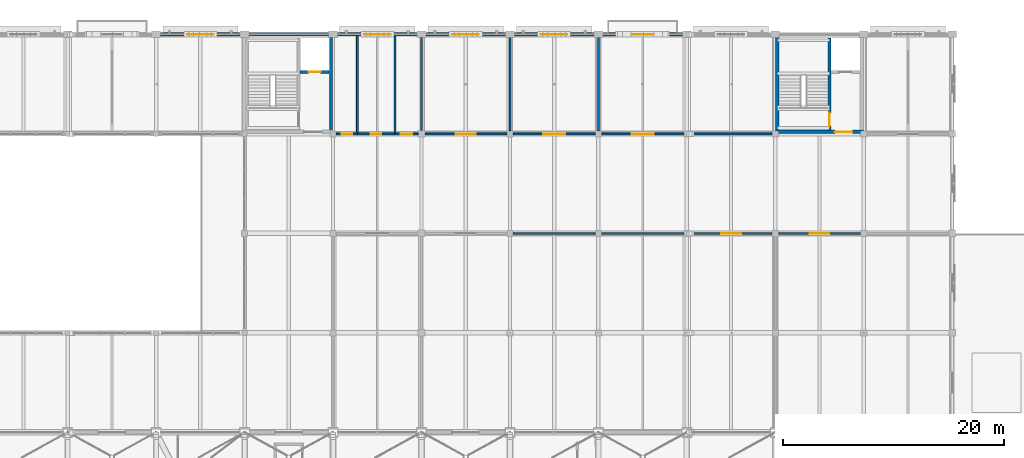
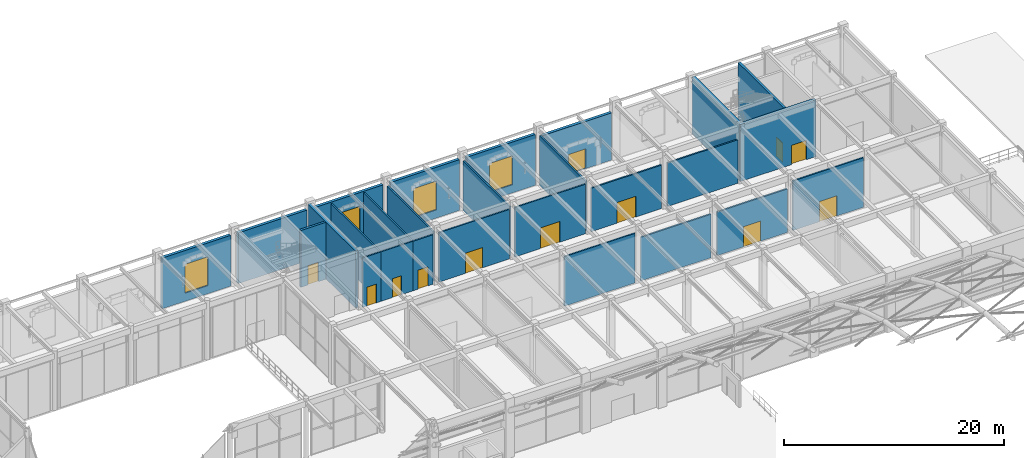
# One storey, part 132 of 163: 27 walls, 12 doors, 4 windows, 16 openings.
"""IFC4 building model written with IfcOpenShell, lengths in metres."""

import ifcopenshell
import ifcopenshell.guid

model = None  # the IFC model being written
_history = None  # IfcOwnerHistory: only IFC2X3 demands one
_inside = {}  # id of a spatial element -> (the spatial element, [elements in it])
_under = {}  # id of a project, library or spatial element -> (it, [spatial elements below it])
_declared = {}  # id of a project -> (the project, [libraries it declares])
_typed = {}  # id of a type object -> (the type object, [elements of that type])
_made_of = {}  # id of a material, layer set ... -> (it, [elements and type objects made of it])


def new_model(schema):
    """Start an empty IFC model of exactly this schema.

    Asked for "IFC4X3", IfcOpenShell would pick the latest addendum, in which some entities
    have other attributes; the version numbers below select the first issue.
    IFC2X3 requires an IfcOwnerHistory on every rooted entity: one is made here for all.
    """
    global model, _history
    if schema == "IFC4X3":
        model = ifcopenshell.file(schema_version=(4, 3, 0, 0))
    else:
        model = ifcopenshell.file(schema=schema)
    _inside.clear()
    _under.clear()
    _declared.clear()
    _typed.clear()
    _made_of.clear()
    _history = None
    if model.schema == "IFC2X3":
        org = make("IfcOrganization", Name="unknown")
        user = make(
            "IfcPersonAndOrganization",
            ThePerson=make("IfcPerson", FamilyName="unknown"),
            TheOrganization=org,
        )
        app = make(
            "IfcApplication",
            ApplicationDeveloper=org,
            Version="unknown",
            ApplicationFullName="unknown",
            ApplicationIdentifier="unknown",
        )
        _history = make(
            "IfcOwnerHistory",
            OwningUser=user,
            OwningApplication=app,
            ChangeAction="ADDED",
            CreationDate=0,
        )
    return model


def make(cls, **values):
    """One entity of the class cls with the attributes given. An attribute that is None is left unset."""
    return model.create_entity(
        cls, **{name: value for name, value in values.items() if value is not None}
    )


def rooted(cls, **values):
    """An entity with a GlobalId (a new one), such as an element, a storey or a relation."""
    return make(cls, GlobalId=ifcopenshell.guid.new(), OwnerHistory=_history, **values)


def si_unit(unit_type, name, prefix=None):
    """IfcSIUnit, for example si_unit("LENGTHUNIT", "METRE", prefix="MILLI")."""
    return make("IfcSIUnit", UnitType=unit_type, Prefix=prefix, Name=name)


def assignment(units):
    """IfcUnitAssignment: the units of a project."""
    return None if units is None else make("IfcUnitAssignment", Units=units)


def point(xyz):
    """IfcCartesianPoint."""
    return None if xyz is None else make("IfcCartesianPoint", Coordinates=xyz)


def direction(xyz):
    """IfcDirection."""
    return None if xyz is None else make("IfcDirection", DirectionRatios=xyz)


def frame(location, z_axis=None, x_axis=None):
    """IfcAxis2Placement3D, a coordinate frame: its origin and axes. An axis left out is left unset."""
    return make(
        "IfcAxis2Placement3D",
        Location=point(location),
        Axis=direction(z_axis),
        RefDirection=direction(x_axis),
    )


def frame_2d(location, x_axis=None):
    """IfcAxis2Placement2D, a coordinate frame in the plane: its origin and x axis."""
    return make(
        "IfcAxis2Placement2D", Location=point(location), RefDirection=direction(x_axis)
    )


def origin():
    """The frame at (0, 0, 0) with its axes left unset."""
    return frame((0.0, 0.0, 0.0))


def place(relative_to, where):
    """IfcLocalPlacement: puts the frame where relative to a parent placement (None: the world)."""
    return make(
        "IfcLocalPlacement", PlacementRelTo=relative_to, RelativePlacement=where
    )


def context(
    kind, dimensions, precision=None, world=None, true_north=None, identifier=None
):
    """IfcGeometricRepresentationContext, for example the 3D "Model" context."""
    return make(
        "IfcGeometricRepresentationContext",
        ContextIdentifier=identifier,
        ContextType=kind,
        CoordinateSpaceDimension=dimensions,
        Precision=precision,
        WorldCoordinateSystem=world,
        TrueNorth=true_north,
    )


def subcontext(parent, identifier, kind, view, scale=None):
    """IfcGeometricRepresentationSubContext, for example "Body" below "Model"."""
    return make(
        "IfcGeometricRepresentationSubContext",
        ContextIdentifier=identifier,
        ContextType=kind,
        ParentContext=parent,
        TargetScale=scale,
        TargetView=view,
    )


def project(units=None, contexts=None):
    """IfcProject with its units and contexts."""
    return rooted(
        "IfcProject",
        Name="project",
        RepresentationContexts=contexts,
        UnitsInContext=assignment(units),
    )


def spatial(cls, under=None, at=None, **own):
    """A site, building, storey or space (cls), placed at a placement, below another one or the project."""
    s = rooted(cls, ObjectPlacement=at, **own)
    if under is not None:
        _under.setdefault(under.id(), (under, []))[1].append(s)
    return s


def profile(cls, at=None, kind="AREA", **sizes):
    """A parametric profile (cls). Its sizes go by their IFC names, for example OverallWidth=200.0."""
    return make(cls, ProfileType=kind, Position=at, **sizes)


def rectangle(**sizes):
    """IfcRectangleProfileDef."""
    return profile("IfcRectangleProfileDef", **sizes)


def extrude(swept, where, along, depth):
    """IfcExtrudedAreaSolid: the profile swept, set in the frame where, extruded along a direction by depth."""
    return make(
        "IfcExtrudedAreaSolid",
        SweptArea=swept,
        Position=where,
        ExtrudedDirection=direction(along),
        Depth=depth,
    )


def shape(context_of_items, identifier, shape_type, items):
    """IfcShapeRepresentation: the items that make up one representation, for example the "Body"."""
    return make(
        "IfcShapeRepresentation",
        ContextOfItems=context_of_items,
        RepresentationIdentifier=identifier,
        RepresentationType=shape_type,
        Items=items,
    )


def material(Name=None, Category=None):
    """IfcMaterial."""
    return make("IfcMaterial", Name=Name, Category=Category)


def layer(
    of_material, thickness, ventilated=None, Name=None, Category=None, Priority=None
):
    """IfcMaterialLayer: one layer of a wall or slab, of a material (None: an air gap)."""
    return make(
        "IfcMaterialLayer",
        Material=of_material,
        LayerThickness=thickness,
        IsVentilated=ventilated,
        Name=Name,
        Category=Category,
        Priority=Priority,
    )


def layer_set(layers, Name=None):
    """IfcMaterialLayerSet."""
    return make("IfcMaterialLayerSet", MaterialLayers=layers, LayerSetName=Name)


def made_of(thing, what):
    """Note that an element or type object is made of a material, layer set ...; save() writes the relation."""
    if what is not None:
        _made_of.setdefault(what.id(), (what, []))[1].append(thing)
    return thing


def type_object(cls, material=None, **own):
    """A type object (cls), such as IfcWallType, which elements share."""
    return made_of(rooted(cls, **own), material)


def element(
    cls,
    number,
    at=None,
    inside=None,
    cuts=None,
    type_object=None,
    material=None,
    context=None,
    identifier="Body",
    shape_type=None,
    held_by="IfcProductDefinitionShape",
    body=None,
    shapes=None,
    **own,
):
    """One element of the class cls, such as IfcWall. Its Tag is "e" and its number.

    at: its placement. inside: the storey or other place that contains it. cuts: it is an
    opening in that element (IfcRelVoidsElement). A single representation is given by context,
    identifier, shape_type and body (its items); several are given by shapes. held_by: the class
    of the entity that holds the representations. save() writes the other relations.
    """
    e = rooted(cls, Tag="e%d" % number, ObjectPlacement=at, **own)
    if body is not None:
        shapes = [shape(context, identifier, shape_type, body)]
    if shapes is not None:
        e.Representation = make(held_by, Representations=shapes)
    if inside is not None:
        _inside.setdefault(inside.id(), (inside, []))[1].append(e)
    if cuts is not None:
        rooted(
            "IfcRelVoidsElement", RelatingBuildingElement=cuts, RelatedOpeningElement=e
        )
    if type_object is not None:
        _typed.setdefault(type_object.id(), (type_object, []))[1].append(e)
    return made_of(e, material)


def fill(opening, filler):
    """IfcRelFillsElement: the door or window that sits in an opening."""
    return rooted(
        "IfcRelFillsElement",
        RelatingOpeningElement=opening,
        RelatedBuildingElement=filler,
    )


def aggregate(whole, parts):
    """IfcRelAggregates: a whole, such as a stair, and the parts it consists of."""
    return rooted("IfcRelAggregates", RelatingObject=whole, RelatedObjects=parts)


def save(model, path):
    """Write the relations noted so far, then the file.

    IfcRelAggregates (storeys below a building ...), IfcRelContainedInSpatialStructure (elements
    in a storey), IfcRelDefinesByType, IfcRelAssociatesMaterial and IfcRelDeclares: one each for
    every whole, place, type object, material and project.
    """
    for whole, parts in _under.values():
        aggregate(whole, parts)
    for where, things in _inside.values():
        rooted(
            "IfcRelContainedInSpatialStructure",
            RelatedElements=things,
            RelatingStructure=where,
        )
    for kind, things in _typed.values():
        rooted("IfcRelDefinesByType", RelatedObjects=things, RelatingType=kind)
    for what, things in _made_of.values():
        rooted("IfcRelAssociatesMaterial", RelatedObjects=things, RelatingMaterial=what)
    for by, libraries in _declared.values():
        rooted("IfcRelDeclares", RelatingContext=by, RelatedDefinitions=libraries)
    model.write(path)


model = new_model("IFC4")

# Units and contexts
model_context = context("Model", 3, precision=1e-05, world=origin(), true_north=direction((0.0, 1.0)))
body_context = subcontext(model_context, "Body", "Model", "MODEL_VIEW")
ifc_project = project(units=[si_unit("LENGTHUNIT", "METRE"), si_unit("AREAUNIT", "SQUARE_METRE"), si_unit("VOLUMEUNIT", "CUBIC_METRE"), si_unit("PLANEANGLEUNIT", "RADIAN"), si_unit("MASSUNIT", "GRAM", prefix="KILO")], contexts=[model_context])

# Site, building, storey
site_placement = place(None, origin())
site = spatial("IfcSite", under=ifc_project, at=site_placement, CompositionType="ELEMENT")
building_placement = place(site_placement, origin())
building = spatial("IfcBuilding", under=site, at=building_placement, Name="Varnabhumi Central Station", CompositionType="ELEMENT")
storey_placement = place(building_placement, frame((0.0, 0.0, 9.60009765625)))
storey = spatial("IfcBuildingStorey", under=building, at=storey_placement, Name="L02", CompositionType="ELEMENT", Elevation=9.60009765625)

# Walls
ifc_material_1 = material(Name="Concrete M40", Category="concrete")
ifc_layer_1 = layer(ifc_material_1, 0.300048828125, Name="Concrete M40", Category="concrete")
ifc_layer_set_1 = layer_set([ifc_layer_1], Name="Concrete M40")
wall_type_1 = type_object("IfcWallType", Name="WAL-CORE-RC-300", PredefinedType="SHEAR", material=ifc_layer_set_1)
for number, where, z_axis, x_axis, name in (
    (1, (87.820068359375, 107.179931640625, 0.0), (0.0, 0.0, 1.0), (0.0, 1.0, 0.0), "NC2 L02 East Shear Wall"),
    (2, (128.179931640625, 107.179931640625, 0.0), (0.0, 0.0, 1.0), (0.0, 1.0, 0.0), "NC3 L02 West Shear Wall"),
):
    element("IfcWall", number, at=place(storey_placement, frame(where, z_axis=z_axis, x_axis=x_axis)), inside=storey, type_object=wall_type_1, Name=name, PredefinedType="SHEAR", context=body_context, shape_type="SweptSolid", body=[
        extrude(rectangle(XDim=8.64013671875, YDim=0.300048828125, at=frame_2d((4.320068359375, 0.0))), origin(), (0.0, 0.0, 1.0), 6.31982421875),
    ])

# Wall, opening, door
wall_1_placement = place(storey_placement, frame((128.030029296875, 107.179931640625, 0.0), z_axis=(0.0, 0.0, 1.0), x_axis=(1.0, 0.0, 0.0)))
wall_1 = element("IfcWall", 3, at=wall_1_placement, inside=storey, type_object=wall_type_1, Name="NC3 L02 Corridor Shear Wall", PredefinedType="SHEAR", context=body_context, shape_type="SweptSolid", body=[
    extrude(rectangle(XDim=7.93994140625, YDim=0.300048828125, at=frame_2d((3.969970703125, 0.0))), origin(), (0.0, 0.0, 1.0), 6.31982421875),
])
opening_1_placement = place(wall_1_placement, frame((5.35009765625, 0.0, 0.0)))
opening_1 = element("IfcOpeningElement", 4, at=opening_1_placement, cuts=wall_1, Name="Opening FD-60D", PredefinedType="OPENING", context=body_context, shape_type="SweptSolid", body=[
    extrude(rectangle(XDim=1.60009765625, YDim=2.14990234375, at=frame_2d((0.800048828125, 1.074951171875))), frame((0.0, 0.159912109375, 0.0), z_axis=(0.0, -1.0, 0.0), x_axis=(1.0, 0.0, 0.0)), (0.0, 0.0, 1.0), 0.320068359375),
])
ifc_material_2 = material(Name="Intumescent-treated hardwood timber", Category="wood")
door_type_1 = type_object("IfcDoorType", Name="DR-FIRE-60-1600", OperationType="NOTDEFINED", PredefinedType="DOOR", material=ifc_material_2)
door_1_placement = place(opening_1_placement, frame((1.60009765625, 0.0, 0.0), z_axis=(0.0, 0.0, 1.0), x_axis=(-1.0, 0.0, 0.0)))
door_1 = element("IfcDoor", 5, at=door_1_placement, inside=storey, type_object=door_type_1, Name="NC3 L02 Lobby Fire Door", OperationType="DOUBLE_DOOR_SINGLE_SWING", OverallHeight=2.14990234375, OverallWidth=1.60009765625, PredefinedType="DOOR", context=body_context, shape_type="SweptSolid", body=[
    extrude(rectangle(XDim=1.60009765625, YDim=2.14990234375, at=frame_2d((0.800048828125, 1.074951171875))), frame((0.0, 0.02490234375, 0.0), z_axis=(0.0, -1.0, 0.0), x_axis=(1.0, 0.0, 0.0)), (0.0, 0.0, 1.0), 0.050048828125),
])
fill(opening_1, door_1)

# Wall, opening, window
ifc_material_3 = material(Name="Autoclaved aerated blockwork masonry", Category="masonry")
ifc_layer_2 = layer(ifc_material_3, 0.300048828125, Name="Autoclaved aerated blockwork masonry", Category="masonry")
ifc_layer_set_2 = layer_set([ifc_layer_2], Name="Autoclaved aerated blockwork masonry")
wall_type_2 = type_object("IfcWallType", Name="WAL-EXT-STUCCO-300", PredefinedType="SOLIDWALL", material=ifc_layer_set_2)
wall_2_placement = place(storey_placement, frame((72.39990234375, 116.0, 0.0), z_axis=(0.0, 0.0, 1.0), x_axis=(1.0, 0.0, 0.0)))
wall_2 = element("IfcWall", 6, at=wall_2_placement, inside=storey, type_object=wall_type_2, Name="North Boulevard Wall L02-7", PredefinedType="SOLIDWALL", context=body_context, shape_type="SweptSolid", body=[
    extrude(rectangle(XDim=7.2001953125, YDim=0.300048828125, at=frame_2d((3.60009765625, 0.0))), origin(), (0.0, 0.0, 1.0), 5.639892578125),
])
opening_2_placement = place(wall_2_placement, frame((2.39990234375, 0.0, 0.89990234375)))
opening_2 = element("IfcOpeningElement", 7, at=opening_2_placement, cuts=wall_2, Name="Opening W-05", PredefinedType="OPENING", context=body_context, shape_type="SweptSolid", body=[
    extrude(rectangle(XDim=2.39990234375, YDim=3.199951171875, at=frame_2d((1.199951171875, 1.60009765625))), frame((0.0, 0.159912109375, 0.0), z_axis=(0.0, -1.0, 0.0), x_axis=(1.0, 0.0, 0.0)), (0.0, 0.0, 1.0), 0.320068359375),
])
ifc_material_4 = material(Name="Laminated low-E double glazing", Category="glass")
window_type = type_object("IfcWindowType", Name="WIN-TALL-2400x3200", PartitioningType="TRIPLE_PANEL_HORIZONTAL", PredefinedType="WINDOW", material=ifc_material_4)
window_1_placement = place(opening_2_placement, origin())
window_1 = element("IfcWindow", 8, at=window_1_placement, inside=storey, type_object=window_type, Name="North Facade Window L02-7", OverallHeight=3.199951171875, OverallWidth=2.39990234375, PartitioningType="SINGLE_PANEL", PredefinedType="WINDOW", context=body_context, shape_type="SweptSolid", body=[
    extrude(rectangle(XDim=2.39990234375, YDim=3.199951171875, at=frame_2d((1.199951171875, 1.60009765625))), frame((0.0, 0.030029296875, 0.0), z_axis=(0.0, -1.0, 0.0), x_axis=(1.0, 0.0, 0.0)), (0.0, 0.0, 1.0), 0.06005859375),
])
fill(opening_2, window_1)

# Wall
wall_3_placement = place(storey_placement, frame((80.39990234375, 116.0, 0.0), z_axis=(0.0, 0.0, 1.0), x_axis=(1.0, 0.0, 0.0)))
element("IfcWall", 9, at=wall_3_placement, inside=storey, type_object=wall_type_2, Name="North Boulevard Wall L02-8", PredefinedType="SOLIDWALL", context=body_context, shape_type="SweptSolid", body=[
    extrude(rectangle(XDim=7.2001953125, YDim=0.300048828125, at=frame_2d((3.60009765625, 0.0))), origin(), (0.0, 0.0, 1.0), 5.639892578125),
])

# Wall, opening, window
wall_4_placement = place(storey_placement, frame((88.39990234375, 116.0, 0.0), z_axis=(0.0, 0.0, 1.0), x_axis=(1.0, 0.0, 0.0)))
wall_4 = element("IfcWall", 10, at=wall_4_placement, inside=storey, type_object=wall_type_2, Name="North Boulevard Wall L02-9", PredefinedType="SOLIDWALL", context=body_context, shape_type="SweptSolid", body=[
    extrude(rectangle(XDim=7.2001953125, YDim=0.300048828125, at=frame_2d((3.60009765625, 0.0))), origin(), (0.0, 0.0, 1.0), 5.639892578125),
])
opening_3_placement = place(wall_4_placement, frame((2.39990234375, 0.0, 0.89990234375)))
opening_3 = element("IfcOpeningElement", 11, at=opening_3_placement, cuts=wall_4, Name="Opening W-05", PredefinedType="OPENING", context=body_context, shape_type="SweptSolid", body=[
    extrude(rectangle(XDim=2.39990234375, YDim=3.199951171875, at=frame_2d((1.199951171875, 1.60009765625))), frame((0.0, 0.159912109375, 0.0), z_axis=(0.0, -1.0, 0.0), x_axis=(1.0, 0.0, 0.0)), (0.0, 0.0, 1.0), 0.320068359375),
])
window_2_placement = place(opening_3_placement, origin())
window_2 = element("IfcWindow", 12, at=window_2_placement, inside=storey, type_object=window_type, Name="North Facade Window L02-9", OverallHeight=3.199951171875, OverallWidth=2.39990234375, PartitioningType="SINGLE_PANEL", PredefinedType="WINDOW", context=body_context, shape_type="SweptSolid", body=[
    extrude(rectangle(XDim=2.39990234375, YDim=3.199951171875, at=frame_2d((1.199951171875, 1.60009765625))), frame((0.0, 0.030029296875, 0.0), z_axis=(0.0, -1.0, 0.0), x_axis=(1.0, 0.0, 0.0)), (0.0, 0.0, 1.0), 0.06005859375),
])
fill(opening_3, window_2)

wall_5_placement = place(storey_placement, frame((96.39990234375, 116.0, 0.0), z_axis=(0.0, 0.0, 1.0), x_axis=(1.0, 0.0, 0.0)))
wall_5 = element("IfcWall", 13, at=wall_5_placement, inside=storey, type_object=wall_type_2, Name="North Boulevard Wall L02-10", PredefinedType="SOLIDWALL", context=body_context, shape_type="SweptSolid", body=[
    extrude(rectangle(XDim=7.2001953125, YDim=0.300048828125, at=frame_2d((3.60009765625, 0.0))), origin(), (0.0, 0.0, 1.0), 5.639892578125),
])
opening_4_placement = place(wall_5_placement, frame((2.39990234375, 0.0, 0.89990234375)))
opening_4 = element("IfcOpeningElement", 14, at=opening_4_placement, cuts=wall_5, Name="Opening W-05", PredefinedType="OPENING", context=body_context, shape_type="SweptSolid", body=[
    extrude(rectangle(XDim=2.39990234375, YDim=3.199951171875, at=frame_2d((1.199951171875, 1.60009765625))), frame((0.0, 0.159912109375, 0.0), z_axis=(0.0, -1.0, 0.0), x_axis=(1.0, 0.0, 0.0)), (0.0, 0.0, 1.0), 0.320068359375),
])
window_3_placement = place(opening_4_placement, origin())
window_3 = element("IfcWindow", 15, at=window_3_placement, inside=storey, type_object=window_type, Name="North Facade Window L02-10", OverallHeight=3.199951171875, OverallWidth=2.39990234375, PartitioningType="SINGLE_PANEL", PredefinedType="WINDOW", context=body_context, shape_type="SweptSolid", body=[
    extrude(rectangle(XDim=2.39990234375, YDim=3.199951171875, at=frame_2d((1.199951171875, 1.60009765625))), frame((0.0, 0.030029296875, 0.0), z_axis=(0.0, -1.0, 0.0), x_axis=(1.0, 0.0, 0.0)), (0.0, 0.0, 1.0), 0.06005859375),
])
fill(opening_4, window_3)

wall_6_placement = place(storey_placement, frame((104.39990234375, 116.0, 0.0), z_axis=(0.0, 0.0, 1.0), x_axis=(1.0, 0.0, 0.0)))
wall_6 = element("IfcWall", 16, at=wall_6_placement, inside=storey, type_object=wall_type_2, Name="North Boulevard Wall L02-11", PredefinedType="SOLIDWALL", context=body_context, shape_type="SweptSolid", body=[
    extrude(rectangle(XDim=7.2001953125, YDim=0.300048828125, at=frame_2d((3.60009765625, 0.0))), origin(), (0.0, 0.0, 1.0), 5.639892578125),
])
opening_5_placement = place(wall_6_placement, frame((2.39990234375, 0.0, 0.89990234375)))
opening_5 = element("IfcOpeningElement", 17, at=opening_5_placement, cuts=wall_6, Name="Opening W-05", PredefinedType="OPENING", context=body_context, shape_type="SweptSolid", body=[
    extrude(rectangle(XDim=2.39990234375, YDim=3.199951171875, at=frame_2d((1.199951171875, 1.60009765625))), frame((0.0, 0.159912109375, 0.0), z_axis=(0.0, -1.0, 0.0), x_axis=(1.0, 0.0, 0.0)), (0.0, 0.0, 1.0), 0.320068359375),
])
window_4_placement = place(opening_5_placement, origin())
window_4 = element("IfcWindow", 18, at=window_4_placement, inside=storey, type_object=window_type, Name="North Facade Window L02-11", OverallHeight=3.199951171875, OverallWidth=2.39990234375, PartitioningType="SINGLE_PANEL", PredefinedType="WINDOW", context=body_context, shape_type="SweptSolid", body=[
    extrude(rectangle(XDim=2.39990234375, YDim=3.199951171875, at=frame_2d((1.199951171875, 1.60009765625))), frame((0.0, 0.030029296875, 0.0), z_axis=(0.0, -1.0, 0.0), x_axis=(1.0, 0.0, 0.0)), (0.0, 0.0, 1.0), 0.06005859375),
])
fill(opening_5, window_4)

# Wall, opening, door
wall_7_placement = place(storey_placement, frame((112.39990234375, 116.0, 0.0), z_axis=(0.0, 0.0, 1.0), x_axis=(1.0, 0.0, 0.0)))
wall_7 = element("IfcWall", 19, at=wall_7_placement, inside=storey, type_object=wall_type_2, Name="North Boulevard Wall L02-12", PredefinedType="SOLIDWALL", context=body_context, shape_type="SweptSolid", body=[
    extrude(rectangle(XDim=7.2001953125, YDim=0.300048828125, at=frame_2d((3.60009765625, 0.0))), origin(), (0.0, 0.0, 1.0), 5.239990234375),
])
opening_6_placement = place(wall_7_placement, frame((2.699951171875, 0.0, 0.0)))
opening_6 = element("IfcOpeningElement", 20, at=opening_6_placement, cuts=wall_7, Name="Opening ED-4", PredefinedType="OPENING", context=body_context, shape_type="SweptSolid", body=[
    extrude(rectangle(XDim=1.800048828125, YDim=2.199951171875, at=frame_2d((0.89990234375, 1.10009765625))), frame((0.0, 0.159912109375, 0.0), z_axis=(0.0, -1.0, 0.0), x_axis=(1.0, 0.0, 0.0)), (0.0, 0.0, 1.0), 0.320068359375),
])
ifc_material_5 = material(Name="Anodised aluminium 6063-T6", Category="aluminium")
door_type_2 = type_object("IfcDoorType", Name="DR-EXT-AZOTEA-1800", OperationType="NOTDEFINED", PredefinedType="DOOR", material=ifc_material_5)
door_2_placement = place(opening_6_placement, origin())
door_2 = element("IfcDoor", 21, at=door_2_placement, inside=storey, type_object=door_type_2, Name="North Boulevard Balcony French Door L02-12", OperationType="DOUBLE_DOOR_SINGLE_SWING", OverallHeight=2.199951171875, OverallWidth=1.800048828125, PredefinedType="DOOR", context=body_context, shape_type="SweptSolid", body=[
    extrude(rectangle(XDim=1.800048828125, YDim=2.199951171875, at=frame_2d((0.89990234375, 1.10009765625))), frame((0.0, 0.02490234375, 0.0), z_axis=(0.0, -1.0, 0.0), x_axis=(1.0, 0.0, 0.0)), (0.0, 0.0, 1.0), 0.050048828125),
])
fill(opening_6, door_2)

ifc_layer_3 = layer(ifc_material_3, 0.159912109375, Name="Autoclaved aerated blockwork masonry", Category="masonry")
ifc_layer_set_3 = layer_set([ifc_layer_3], Name="Autoclaved aerated blockwork masonry")
wall_type_3 = type_object("IfcWallType", Name="WAL-PART-AAC-160", PredefinedType="PARTITIONING", material=ifc_layer_set_3)
wall_8_placement = place(storey_placement, frame((88.300048828125, 107.0, 0.0), z_axis=(0.0, 0.0, 1.0), x_axis=(1.0, 0.0, 0.0)))
wall_8 = element("IfcWall", 22, at=wall_8_placement, inside=storey, type_object=wall_type_3, Name="Public Male WC L02 North Corridor Partition 1", PredefinedType="PARTITIONING", context=body_context, shape_type="SweptSolid", body=[
    extrude(rectangle(XDim=1.89990234375, YDim=0.159912109375, at=frame_2d((0.949951171875, 0.0))), origin(), (0.0, 0.0, 1.0), 5.5),
])
opening_7_placement = place(wall_8_placement, frame((0.47509765625, 0.0, 0.0)))
opening_7 = element("IfcOpeningElement", 23, at=opening_7_placement, cuts=wall_8, Name="Opening D-04", PredefinedType="OPENING", context=body_context, shape_type="SweptSolid", body=[
    extrude(rectangle(XDim=0.949951171875, YDim=2.10009765625, at=frame_2d((0.47509765625, 1.050048828125))), frame((0.0, 0.08984375, 0.0), z_axis=(0.0, -1.0, 0.0), x_axis=(1.0, 0.0, 0.0)), (0.0, 0.0, 1.0), 0.179931640625),
])
door_type_3 = type_object("IfcDoorType", Name="DR-WC-950", OperationType="NOTDEFINED", PredefinedType="DOOR", material=ifc_material_2)
door_3_placement = place(opening_7_placement, frame((0.949951171875, 0.0, 0.0), z_axis=(0.0, 0.0, 1.0), x_axis=(-1.0, 0.0, 0.0)))
door_3 = element("IfcDoor", 24, at=door_3_placement, inside=storey, type_object=door_type_3, Name="Public Male WC L02 North Door 1", OperationType="SINGLE_SWING_LEFT", OverallHeight=2.10009765625, OverallWidth=0.949951171875, PredefinedType="DOOR", context=body_context, shape_type="SweptSolid", body=[
    extrude(rectangle(XDim=0.949951171875, YDim=2.10009765625, at=frame_2d((0.47509765625, 1.050048828125))), frame((0.0, 0.02490234375, 0.0), z_axis=(0.0, -1.0, 0.0), x_axis=(1.0, 0.0, 0.0)), (0.0, 0.0, 1.0), 0.050048828125),
])
fill(opening_7, door_3)

# Wall
wall_9_placement = place(storey_placement, frame((90.199951171875, 107.080078125, 0.0), z_axis=(0.0, 0.0, 1.0), x_axis=(0.0, 1.0, 0.0)))
element("IfcWall", 25, at=wall_9_placement, inside=storey, type_object=wall_type_3, Name="Public Male WC L02 North W Partition 1", PredefinedType="PARTITIONING", context=body_context, shape_type="SweptSolid", body=[
    extrude(rectangle(XDim=8.760009765625, YDim=0.159912109375, at=frame_2d((4.3798828125, 0.0))), origin(), (0.0, 0.0, 1.0), 5.5),
])

# Wall, opening, door
wall_10_placement = place(storey_placement, frame((90.199951171875, 107.0, 0.0), z_axis=(0.0, 0.0, 1.0), x_axis=(1.0, 0.0, 0.0)))
wall_10 = element("IfcWall", 26, at=wall_10_placement, inside=storey, type_object=wall_type_3, Name="Public Female WC L02 North Corridor Partition 1", PredefinedType="PARTITIONING", context=body_context, shape_type="SweptSolid", body=[
    extrude(rectangle(XDim=3.400146484375, YDim=0.159912109375, at=frame_2d((1.7001953125, 0.0))), origin(), (0.0, 0.0, 1.0), 5.5),
])
opening_8_placement = place(wall_10_placement, frame((1.22509765625, 0.0, 0.0)))
opening_8 = element("IfcOpeningElement", 27, at=opening_8_placement, cuts=wall_10, Name="Opening D-04", PredefinedType="OPENING", context=body_context, shape_type="SweptSolid", body=[
    extrude(rectangle(XDim=0.949951171875, YDim=2.10009765625, at=frame_2d((0.47509765625, 1.050048828125))), frame((0.0, 0.08984375, 0.0), z_axis=(0.0, -1.0, 0.0), x_axis=(1.0, 0.0, 0.0)), (0.0, 0.0, 1.0), 0.179931640625),
])
door_4_placement = place(opening_8_placement, frame((0.949951171875, 0.0, 0.0), z_axis=(0.0, 0.0, 1.0), x_axis=(-1.0, 0.0, 0.0)))
door_4 = element("IfcDoor", 28, at=door_4_placement, inside=storey, type_object=door_type_3, Name="Public Female WC L02 North Door 1", OperationType="SINGLE_SWING_RIGHT", OverallHeight=2.10009765625, OverallWidth=0.949951171875, PredefinedType="DOOR", context=body_context, shape_type="SweptSolid", body=[
    extrude(rectangle(XDim=0.949951171875, YDim=2.10009765625, at=frame_2d((0.47509765625, 1.050048828125))), frame((0.0, 0.02490234375, 0.0), z_axis=(0.0, -1.0, 0.0), x_axis=(1.0, 0.0, 0.0)), (0.0, 0.0, 1.0), 0.050048828125),
])
fill(opening_8, door_4)

# Wall
wall_11_placement = place(storey_placement, frame((93.60009765625, 107.080078125, 0.0), z_axis=(0.0, 0.0, 1.0), x_axis=(0.0, 1.0, 0.0)))
element("IfcWall", 29, at=wall_11_placement, inside=storey, type_object=wall_type_3, Name="Public Female WC L02 North W Partition 1", PredefinedType="PARTITIONING", context=body_context, shape_type="SweptSolid", body=[
    extrude(rectangle(XDim=8.760009765625, YDim=0.159912109375, at=frame_2d((4.3798828125, 0.0))), origin(), (0.0, 0.0, 1.0), 5.5),
])

# Wall, opening, door
wall_12_placement = place(storey_placement, frame((93.60009765625, 107.0, 0.0), z_axis=(0.0, 0.0, 1.0), x_axis=(1.0, 0.0, 0.0)))
wall_12 = element("IfcWall", 30, at=wall_12_placement, inside=storey, type_object=wall_type_3, Name="Accessible WC L02 North Corridor Partition 1", PredefinedType="PARTITIONING", context=body_context, shape_type="SweptSolid", body=[
    extrude(rectangle(XDim=2.099853515625, YDim=0.159912109375, at=frame_2d((1.0498046875, 0.0))), origin(), (0.0, 0.0, 1.0), 5.5),
])
opening_9_placement = place(wall_12_placement, frame((0.52490234375, 0.0, 0.0)))
opening_9 = element("IfcOpeningElement", 31, at=opening_9_placement, cuts=wall_12, Name="Opening D-05", PredefinedType="OPENING", context=body_context, shape_type="SweptSolid", body=[
    extrude(rectangle(XDim=1.050048828125, YDim=2.10009765625, at=frame_2d((0.52490234375, 1.050048828125))), frame((0.0, 0.08984375, 0.0), z_axis=(0.0, -1.0, 0.0), x_axis=(1.0, 0.0, 0.0)), (0.0, 0.0, 1.0), 0.179931640625),
])
door_type_4 = type_object("IfcDoorType", Name="DR-ACC-WC-1050", OperationType="NOTDEFINED", PredefinedType="DOOR", material=ifc_material_2)
door_5_placement = place(opening_9_placement, frame((1.050048828125, 0.0, 0.0), z_axis=(0.0, 0.0, 1.0), x_axis=(-1.0, 0.0, 0.0)))
door_5 = element("IfcDoor", 32, at=door_5_placement, inside=storey, type_object=door_type_4, Name="Accessible WC L02 North Door 1", OperationType="SINGLE_SWING_LEFT", OverallHeight=2.10009765625, OverallWidth=1.050048828125, PredefinedType="DOOR", context=body_context, shape_type="SweptSolid", body=[
    extrude(rectangle(XDim=1.050048828125, YDim=2.10009765625, at=frame_2d((0.52490234375, 1.050048828125))), frame((0.0, 0.02490234375, 0.0), z_axis=(0.0, -1.0, 0.0), x_axis=(1.0, 0.0, 0.0)), (0.0, 0.0, 1.0), 0.050048828125),
])
fill(opening_9, door_5)

# Walls
wall_13_placement = place(storey_placement, frame((96.0, 107.300048828125, 0.0), z_axis=(0.0, 0.0, 1.0), x_axis=(0.0, 1.0, 0.0)))
element("IfcWall", 33, at=wall_13_placement, inside=storey, type_object=wall_type_3, Name="Accessible WC L02 North W Partition 1", PredefinedType="PARTITIONING", context=body_context, shape_type="SweptSolid", body=[
    extrude(rectangle(XDim=8.39990234375, YDim=0.159912109375, at=frame_2d((4.199951171875, 0.0))), origin(), (0.0, 0.0, 1.0), 5.5),
])
wall_14_placement = place(storey_placement, frame((104.300048828125, 98.0, 0.0), z_axis=(0.0, 0.0, 1.0), x_axis=(1.0, 0.0, 0.0)))
element("IfcWall", 34, at=wall_14_placement, inside=storey, type_object=wall_type_3, Name="Departure Food Court and Tea Pavilion Corridor Partition 2", PredefinedType="PARTITIONING", context=body_context, shape_type="SweptSolid", body=[
    extrude(rectangle(XDim=7.39990234375, YDim=0.159912109375, at=frame_2d((3.699951171875, 0.0))), origin(), (0.0, 0.0, 1.0), 5.5),
])
wall_15_placement = place(storey_placement, frame((112.300048828125, 98.0, 0.0), z_axis=(0.0, 0.0, 1.0), x_axis=(1.0, 0.0, 0.0)))
element("IfcWall", 35, at=wall_15_placement, inside=storey, type_object=wall_type_3, Name="Departure Food Court and Tea Pavilion Corridor Partition 3", PredefinedType="PARTITIONING", context=body_context, shape_type="SweptSolid", body=[
    extrude(rectangle(XDim=7.39990234375, YDim=0.159912109375, at=frame_2d((3.699951171875, 0.0))), origin(), (0.0, 0.0, 1.0), 4.829833984375),
])

# Wall, opening, door
wall_16_placement = place(storey_placement, frame((120.300048828125, 98.0, 0.0), z_axis=(0.0, 0.0, 1.0), x_axis=(1.0, 0.0, 0.0)))
wall_16 = element("IfcWall", 36, at=wall_16_placement, inside=storey, type_object=wall_type_3, Name="Departure Food Court and Tea Pavilion Corridor Partition 4", PredefinedType="PARTITIONING", context=body_context, shape_type="SweptSolid", body=[
    extrude(rectangle(XDim=7.39990234375, YDim=0.159912109375, at=frame_2d((3.699951171875, 0.0))), origin(), (0.0, 0.0, 1.0), 4.829833984375),
])
opening_10_placement = place(wall_16_placement, frame((2.800048828125, 0.0, 0.0)))
opening_10 = element("IfcOpeningElement", 37, at=opening_10_placement, cuts=wall_16, Name="Opening D-02", PredefinedType="OPENING", context=body_context, shape_type="SweptSolid", body=[
    extrude(rectangle(XDim=1.800048828125, YDim=2.25, at=frame_2d((0.89990234375, 1.125))), frame((0.0, 0.08984375, 0.0), z_axis=(0.0, -1.0, 0.0), x_axis=(1.0, 0.0, 0.0)), (0.0, 0.0, 1.0), 0.179931640625),
])
door_type_5 = type_object("IfcDoorType", Name="DR-LOUNGE-1800", OperationType="NOTDEFINED", PredefinedType="DOOR", material=ifc_material_5)
door_6_placement = place(opening_10_placement, origin())
door_6 = element("IfcDoor", 38, at=door_6_placement, inside=storey, type_object=door_type_5, Name="Departure Food Court and Tea Pavilion Door 4", OperationType="DOUBLE_DOOR_SINGLE_SWING", OverallHeight=2.25, OverallWidth=1.800048828125, PredefinedType="DOOR", context=body_context, shape_type="SweptSolid", body=[
    extrude(rectangle(XDim=1.800048828125, YDim=2.25, at=frame_2d((0.89990234375, 1.125))), frame((0.0, 0.02490234375, 0.0), z_axis=(0.0, -1.0, 0.0), x_axis=(1.0, 0.0, 0.0)), (0.0, 0.0, 1.0), 0.050048828125),
])
fill(opening_10, door_6)

wall_17_placement = place(storey_placement, frame((96.300048828125, 107.0, 0.0), z_axis=(0.0, 0.0, 1.0), x_axis=(1.0, 0.0, 0.0)))
wall_17 = element("IfcWall", 39, at=wall_17_placement, inside=storey, type_object=wall_type_3, Name="Senior Citizen and Divyangjan Waiting Lounge Corridor Partition 1", PredefinedType="PARTITIONING", context=body_context, shape_type="SweptSolid", body=[
    extrude(rectangle(XDim=7.39990234375, YDim=0.159912109375, at=frame_2d((3.699951171875, 0.0))), origin(), (0.0, 0.0, 1.0), 5.5),
])
opening_11_placement = place(wall_17_placement, frame((2.800048828125, 0.0, 0.0)))
opening_11 = element("IfcOpeningElement", 40, at=opening_11_placement, cuts=wall_17, Name="Opening D-02", PredefinedType="OPENING", context=body_context, shape_type="SweptSolid", body=[
    extrude(rectangle(XDim=1.800048828125, YDim=2.25, at=frame_2d((0.89990234375, 1.125))), frame((0.0, 0.08984375, 0.0), z_axis=(0.0, -1.0, 0.0), x_axis=(1.0, 0.0, 0.0)), (0.0, 0.0, 1.0), 0.179931640625),
])
door_7_placement = place(opening_11_placement, frame((1.800048828125, 0.0, 0.0), z_axis=(0.0, 0.0, 1.0), x_axis=(-1.0, 0.0, 0.0)))
door_7 = element("IfcDoor", 41, at=door_7_placement, inside=storey, type_object=door_type_5, Name="Senior Citizen and Divyangjan Waiting Lounge Door 1", OperationType="DOUBLE_DOOR_SINGLE_SWING", OverallHeight=2.25, OverallWidth=1.800048828125, PredefinedType="DOOR", context=body_context, shape_type="SweptSolid", body=[
    extrude(rectangle(XDim=1.800048828125, YDim=2.25, at=frame_2d((0.89990234375, 1.125))), frame((0.0, 0.02490234375, 0.0), z_axis=(0.0, -1.0, 0.0), x_axis=(1.0, 0.0, 0.0)), (0.0, 0.0, 1.0), 0.050048828125),
])
fill(opening_11, door_7)

# Wall
wall_18_placement = place(storey_placement, frame((104.0, 107.300048828125, 0.0), z_axis=(0.0, 0.0, 1.0), x_axis=(0.0, 1.0, 0.0)))
element("IfcWall", 42, at=wall_18_placement, inside=storey, type_object=wall_type_3, Name="Senior Citizen and Divyangjan Waiting Lounge W Partition 1", PredefinedType="PARTITIONING", context=body_context, shape_type="SweptSolid", body=[
    extrude(rectangle(XDim=8.39990234375, YDim=0.159912109375, at=frame_2d((4.199951171875, 0.0))), origin(), (0.0, 0.0, 1.0), 5.5),
])

# Wall, opening, door
wall_19_placement = place(storey_placement, frame((104.300048828125, 107.0, 0.0), z_axis=(0.0, 0.0, 1.0), x_axis=(1.0, 0.0, 0.0)))
wall_19 = element("IfcWall", 43, at=wall_19_placement, inside=storey, type_object=wall_type_3, Name="Concourse Travel Retail Shop 21 Corridor Partition 1", PredefinedType="PARTITIONING", context=body_context, shape_type="SweptSolid", body=[
    extrude(rectangle(XDim=7.39990234375, YDim=0.159912109375, at=frame_2d((3.699951171875, 0.0))), origin(), (0.0, 0.0, 1.0), 5.5),
])
opening_12_placement = place(wall_19_placement, frame((2.699951171875, 0.0, 0.0)))
opening_12 = element("IfcOpeningElement", 44, at=opening_12_placement, cuts=wall_19, Name="Opening D-03", PredefinedType="OPENING", context=body_context, shape_type="SweptSolid", body=[
    extrude(rectangle(XDim=2.0, YDim=2.300048828125, at=frame_2d((1.0, 1.14990234375))), frame((0.0, 0.08984375, 0.0), z_axis=(0.0, -1.0, 0.0), x_axis=(1.0, 0.0, 0.0)), (0.0, 0.0, 1.0), 0.179931640625),
])
door_type_6 = type_object("IfcDoorType", Name="DR-SHOP-2000", OperationType="NOTDEFINED", PredefinedType="DOOR", material=ifc_material_5)
door_8_placement = place(opening_12_placement, frame((2.0, 0.0, 0.0), z_axis=(0.0, 0.0, 1.0), x_axis=(-1.0, 0.0, 0.0)))
door_8 = element("IfcDoor", 45, at=door_8_placement, inside=storey, type_object=door_type_6, Name="Concourse Travel Retail Shop 21 Door 1", OperationType="DOUBLE_DOOR_SINGLE_SWING", OverallHeight=2.300048828125, OverallWidth=2.0, PredefinedType="DOOR", context=body_context, shape_type="SweptSolid", body=[
    extrude(rectangle(XDim=2.0, YDim=2.300048828125, at=frame_2d((1.0, 1.14990234375))), frame((0.0, 0.02490234375, 0.0), z_axis=(0.0, -1.0, 0.0), x_axis=(1.0, 0.0, 0.0)), (0.0, 0.0, 1.0), 0.050048828125),
])
fill(opening_12, door_8)

# Wall
wall_20_placement = place(storey_placement, frame((112.0, 107.300048828125, 0.0), z_axis=(0.0, 0.0, 1.0), x_axis=(0.0, 1.0, 0.0)))
element("IfcWall", 46, at=wall_20_placement, inside=storey, type_object=wall_type_3, Name="Concourse Travel Retail Shop 21 W Partition 1", PredefinedType="PARTITIONING", context=body_context, shape_type="SweptSolid", body=[
    extrude(rectangle(XDim=8.39990234375, YDim=0.159912109375, at=frame_2d((4.199951171875, 0.0))), origin(), (0.0, 0.0, 1.0), 5.5),
])

# Wall, opening, door
wall_21_placement = place(storey_placement, frame((112.300048828125, 107.0, 0.0), z_axis=(0.0, 0.0, 1.0), x_axis=(1.0, 0.0, 0.0)))
wall_21 = element("IfcWall", 47, at=wall_21_placement, inside=storey, type_object=wall_type_3, Name="Concourse Book and Craft Shop 22 Corridor Partition 1", PredefinedType="PARTITIONING", context=body_context, shape_type="SweptSolid", body=[
    extrude(rectangle(XDim=7.39990234375, YDim=0.159912109375, at=frame_2d((3.699951171875, 0.0))), origin(), (0.0, 0.0, 1.0), 4.829833984375),
])
opening_13_placement = place(wall_21_placement, frame((2.699951171875, 0.0, 0.0)))
opening_13 = element("IfcOpeningElement", 48, at=opening_13_placement, cuts=wall_21, Name="Opening D-03", PredefinedType="OPENING", context=body_context, shape_type="SweptSolid", body=[
    extrude(rectangle(XDim=2.0, YDim=2.300048828125, at=frame_2d((1.0, 1.14990234375))), frame((0.0, 0.08984375, 0.0), z_axis=(0.0, -1.0, 0.0), x_axis=(1.0, 0.0, 0.0)), (0.0, 0.0, 1.0), 0.179931640625),
])
door_9_placement = place(opening_13_placement, frame((2.0, 0.0, 0.0), z_axis=(0.0, 0.0, 1.0), x_axis=(-1.0, 0.0, 0.0)))
door_9 = element("IfcDoor", 49, at=door_9_placement, inside=storey, type_object=door_type_6, Name="Concourse Book and Craft Shop 22 Door 1", OperationType="DOUBLE_DOOR_SINGLE_SWING", OverallHeight=2.300048828125, OverallWidth=2.0, PredefinedType="DOOR", context=body_context, shape_type="SweptSolid", body=[
    extrude(rectangle(XDim=2.0, YDim=2.300048828125, at=frame_2d((1.0, 1.14990234375))), frame((0.0, 0.02490234375, 0.0), z_axis=(0.0, -1.0, 0.0), x_axis=(1.0, 0.0, 0.0)), (0.0, 0.0, 1.0), 0.050048828125),
])
fill(opening_13, door_9)

# Wall
wall_22_placement = place(storey_placement, frame((120.300048828125, 107.0, 0.0), z_axis=(0.0, 0.0, 1.0), x_axis=(1.0, 0.0, 0.0)))
element("IfcWall", 50, at=wall_22_placement, inside=storey, type_object=wall_type_3, Name="Concourse Book and Craft Shop 22 Corridor Partition 2", PredefinedType="PARTITIONING", context=body_context, shape_type="SweptSolid", body=[
    extrude(rectangle(XDim=7.39990234375, YDim=0.159912109375, at=frame_2d((3.699951171875, 0.0))), origin(), (0.0, 0.0, 1.0), 4.829833984375),
])

# Wall, opening, door
wall_23_placement = place(storey_placement, frame((128.300048828125, 98.0, 0.0), z_axis=(0.0, 0.0, 1.0), x_axis=(1.0, 0.0, 0.0)))
wall_23 = element("IfcWall", 51, at=wall_23_placement, inside=storey, type_object=wall_type_3, Name="North General Waiting Hall Corridor Partition 1", PredefinedType="PARTITIONING", context=body_context, shape_type="SweptSolid", body=[
    extrude(rectangle(XDim=7.39990234375, YDim=0.159912109375, at=frame_2d((3.699951171875, 0.0))), origin(), (0.0, 0.0, 1.0), 5.5),
])
opening_14_placement = place(wall_23_placement, frame((2.800048828125, 0.0, 0.0)))
opening_14 = element("IfcOpeningElement", 52, at=opening_14_placement, cuts=wall_23, Name="Opening D-02", PredefinedType="OPENING", context=body_context, shape_type="SweptSolid", body=[
    extrude(rectangle(XDim=1.800048828125, YDim=2.25, at=frame_2d((0.89990234375, 1.125))), frame((0.0, 0.08984375, 0.0), z_axis=(0.0, -1.0, 0.0), x_axis=(1.0, 0.0, 0.0)), (0.0, 0.0, 1.0), 0.179931640625),
])
door_10_placement = place(opening_14_placement, origin())
door_10 = element("IfcDoor", 53, at=door_10_placement, inside=storey, type_object=door_type_5, Name="North General Waiting Hall Door 1", OperationType="DOUBLE_DOOR_SINGLE_SWING", OverallHeight=2.25, OverallWidth=1.800048828125, PredefinedType="DOOR", context=body_context, shape_type="SweptSolid", body=[
    extrude(rectangle(XDim=1.800048828125, YDim=2.25, at=frame_2d((0.89990234375, 1.125))), frame((0.0, 0.02490234375, 0.0), z_axis=(0.0, -1.0, 0.0), x_axis=(1.0, 0.0, 0.0)), (0.0, 0.0, 1.0), 0.050048828125),
])
fill(opening_14, door_10)

ifc_layer_4 = layer(ifc_material_1, 0.239990234375, Name="Concrete M40", Category="concrete")
ifc_layer_set_4 = layer_set([ifc_layer_4], Name="Concrete M40")
wall_type_4 = type_object("IfcWallType", Name="WAL-SHAFT-RC-240", PredefinedType="SHEAR", material=ifc_layer_set_4)
wall_24_placement = place(storey_placement, frame((85.02001953125, 112.60009765625, 0.0), z_axis=(0.0, 0.0, 1.0), x_axis=(1.0, 0.0, 0.0)))
wall_24 = element("IfcWall", 54, at=wall_24_placement, inside=storey, type_object=wall_type_4, Name="PL-7 L02 Lift Shaft Front Wall", PredefinedType="SHEAR", context=body_context, shape_type="SweptSolid", body=[
    extrude(rectangle(XDim=2.6298828125, YDim=0.239990234375, at=frame_2d((1.31494140625, 0.0))), origin(), (0.0, 0.0, 1.0), 6.31982421875),
])
opening_15_placement = place(wall_24_placement, frame((0.764892578125, 0.0, 0.0)))
opening_15 = element("IfcOpeningElement", 55, at=opening_15_placement, cuts=wall_24, Name="Opening LD-PL-7", PredefinedType="OPENING", context=body_context, shape_type="SweptSolid", body=[
    extrude(rectangle(XDim=1.10009765625, YDim=2.14990234375, at=frame_2d((0.550048828125, 1.074951171875))), frame((0.0, 0.1298828125, 0.0), z_axis=(0.0, -1.0, 0.0), x_axis=(1.0, 0.0, 0.0)), (0.0, 0.0, 1.0), 0.260009765625),
])
ifc_material_6 = material(Name="Stainless steel Grade 316", Category="steel")
door_type_7 = type_object("IfcDoorType", Name="DR-LIFT-PASS-1100", OperationType="NOTDEFINED", PredefinedType="DOOR", material=ifc_material_6)
door_11_placement = place(opening_15_placement, origin())
door_11 = element("IfcDoor", 56, at=door_11_placement, inside=storey, type_object=door_type_7, Name="Lift Landing Door PL-7 L02", OperationType="DOUBLE_DOOR_SLIDING", OverallHeight=2.14990234375, OverallWidth=1.10009765625, PredefinedType="DOOR", context=body_context, shape_type="SweptSolid", body=[
    extrude(rectangle(XDim=1.10009765625, YDim=2.14990234375, at=frame_2d((0.550048828125, 1.074951171875))), frame((0.0, 0.02490234375, 0.0), z_axis=(0.0, -1.0, 0.0), x_axis=(1.0, 0.0, 0.0)), (0.0, 0.0, 1.0), 0.050048828125),
])
fill(opening_15, door_11)

wall_25_placement = place(storey_placement, frame((132.89990234375, 107.35009765625, 0.0), z_axis=(0.0, 0.0, 1.0), x_axis=(0.0, 1.0, 0.0)))
wall_25 = element("IfcWall", 57, at=wall_25_placement, inside=storey, type_object=wall_type_4, Name="NC3 L02 Stair-Lobby Divider Wall", PredefinedType="SHEAR", context=body_context, shape_type="SweptSolid", body=[
    extrude(rectangle(XDim=8.2998046875, YDim=0.239990234375, at=frame_2d((4.14990234375, 0.0))), origin(), (0.0, 0.0, 1.0), 6.31982421875),
])
opening_16_placement = place(wall_25_placement, frame((0.35009765625, 0.0, 0.0)))
opening_16 = element("IfcOpeningElement", 58, at=opening_16_placement, cuts=wall_25, Name="Opening FD-120", PredefinedType="OPENING", context=body_context, shape_type="SweptSolid", body=[
    extrude(rectangle(XDim=1.199951171875, YDim=2.14990234375, at=frame_2d((0.60009765625, 1.074951171875))), frame((0.0, 0.1298828125, 0.0), z_axis=(0.0, -1.0, 0.0), x_axis=(1.0, 0.0, 0.0)), (0.0, 0.0, 1.0), 0.260009765625),
])
door_type_8 = type_object("IfcDoorType", Name="DR-FIRE-120-1200", OperationType="NOTDEFINED", PredefinedType="DOOR", material=ifc_material_6)
door_12_placement = place(opening_16_placement, frame((1.199951171875, 0.0, 0.0), z_axis=(0.0, 0.0, 1.0), x_axis=(-1.0, 0.0, 0.0)))
door_12 = element("IfcDoor", 59, at=door_12_placement, inside=storey, type_object=door_type_8, Name="ST-N3 L02 Fire Door", OperationType="SINGLE_SWING_LEFT", OverallHeight=2.14990234375, OverallWidth=1.199951171875, PredefinedType="DOOR", context=body_context, shape_type="SweptSolid", body=[
    extrude(rectangle(XDim=1.199951171875, YDim=2.14990234375, at=frame_2d((0.60009765625, 1.074951171875))), frame((0.0, 0.02490234375, 0.0), z_axis=(0.0, -1.0, 0.0), x_axis=(1.0, 0.0, 0.0)), (0.0, 0.0, 1.0), 0.050048828125),
])
fill(opening_16, door_12)

save(model, "model.ifc")
